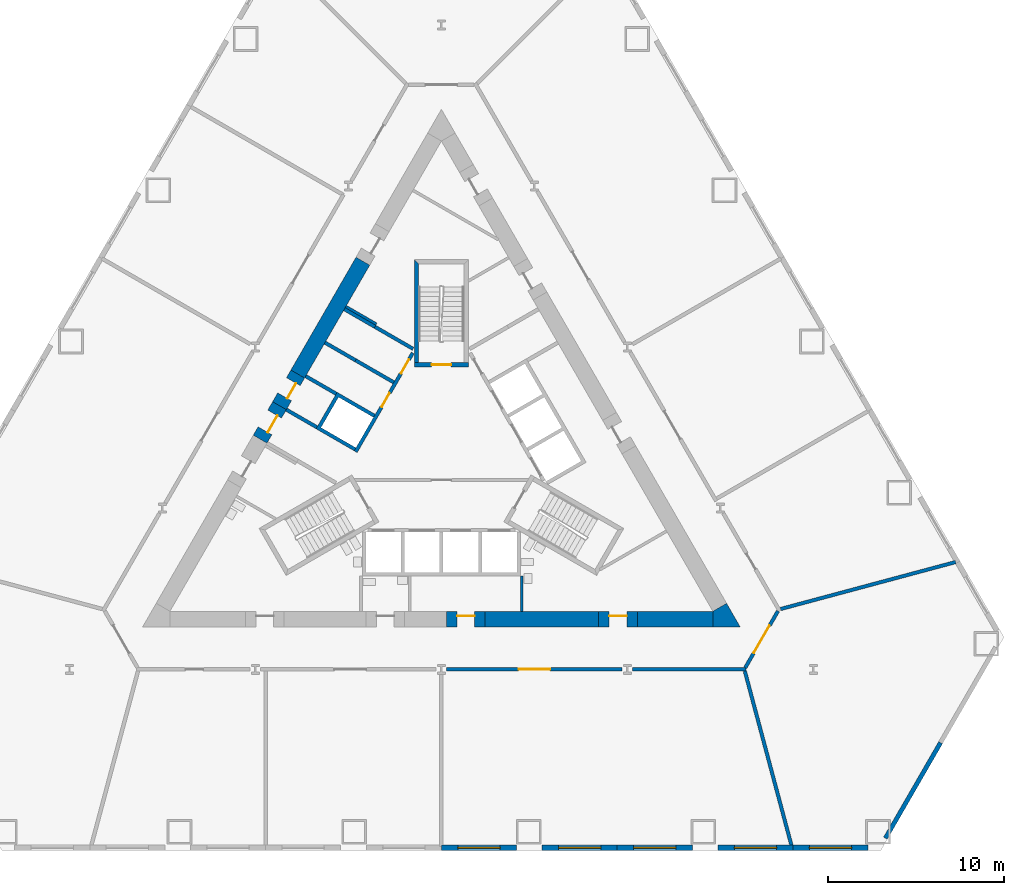
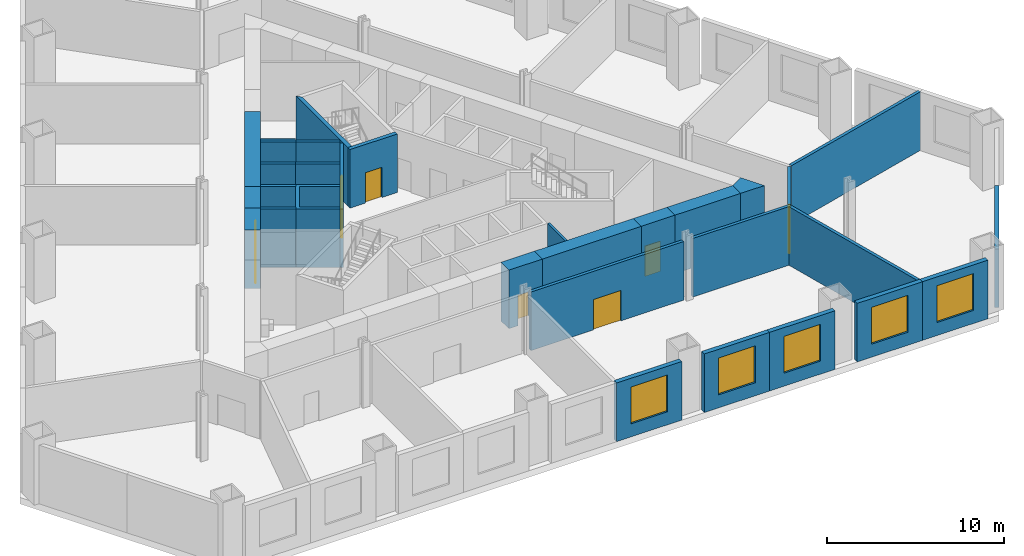
# One storey, part 3 of 8: 31 walls, 9 doors, 5 windows, 14 openings.
"""IFC4 building model written with IfcOpenShell, lengths in metres."""

from ifc_helpers import new_model, si_unit, direction, frame, frame_2d, origin, place, context, subcontext, project, spatial, polyline, rectangle, outline, extrude, material, layer, layer_set, type_object, element, fill, save


model = new_model("IFC4")

# Units and contexts
model_context = context("Model", 3, precision=1e-05, world=origin(), true_north=direction((0.0, 1.0)))
body_context = subcontext(model_context, "Body", "Model", "MODEL_VIEW")
ifc_project = project(units=[si_unit("LENGTHUNIT", "METRE"), si_unit("AREAUNIT", "SQUARE_METRE"), si_unit("VOLUMEUNIT", "CUBIC_METRE"), si_unit("PLANEANGLEUNIT", "RADIAN"), si_unit("MASSUNIT", "GRAM", prefix="KILO")], contexts=[model_context])

# Site, building, storey
site_placement = place(None, origin())
site = spatial("IfcSite", under=ifc_project, at=site_placement, CompositionType="ELEMENT")
building_placement = place(site_placement, origin())
building = spatial("IfcBuilding", under=site, at=building_placement, Name="Cormorant Prow Tower", CompositionType="ELEMENT")
storey_placement = place(building_placement, frame((0.0, 0.0, 21.0)))
storey = spatial("IfcBuildingStorey", under=building, at=storey_placement, Name="L03", CompositionType="ELEMENT", Elevation=21.0)

# Walls
ifc_material_1 = material(Name="Gypsum board partition")
ifc_layer_1 = layer(ifc_material_1, 0.14990234375)
ifc_layer_set_1 = layer_set([ifc_layer_1], Name="Gypsum board partition")
wall_type_1 = type_object("IfcWallType", Name="Core partition 150", PredefinedType="PARTITIONING", material=ifc_layer_set_1)
wall_1_placement = place(storey_placement, frame((-3.693359375, 7.4150390625, 0.0), z_axis=(0.0, 0.0, 1.0), x_axis=(-0.866035824272, 0.499981950752, 0.0)))
element("IfcWall", 1, at=wall_1_placement, inside=storey, type_object=wall_type_1, Name="Service room partition", PredefinedType="PARTITIONING", context=body_context, shape_type="SweptSolid", body=[
    extrude(rectangle(XDim=2.0087890625, YDim=0.14990234375, at=frame_2d((1.00439453125, 0.0))), origin(), (0.0, 0.0, 1.0), 4.050048828125),
])
wall_2_placement = place(storey_placement, frame((4.574951171875, -6.906005859375, 0.0), z_axis=(0.0, 0.0, 1.0), x_axis=(0.0, -1.0, 0.0)))
element("IfcWall", 2, at=wall_2_placement, inside=storey, type_object=wall_type_1, Name="Service room partition", PredefinedType="PARTITIONING", context=body_context, shape_type="SweptSolid", body=[
    extrude(rectangle(XDim=2.009033203125, YDim=0.14990234375, at=frame_2d((1.00439453125, 0.0))), origin(), (0.0, 0.0, 1.0), 4.050048828125),
])
ifc_material_2 = material(Name="Concrete 8000 psi", Category="concrete")
ifc_layer_2 = layer(ifc_material_2, 0.89990234375)
ifc_layer_set_2 = layer_set([ifc_layer_2], Name="Concrete 8000 psi")
wall_type_2 = type_object("IfcWallType", Name="Core shear wall 900", PredefinedType="SHEAR", material=ifc_layer_set_2)
wall_3_placement = place(storey_placement, frame((2.487548828125, -9.364990234375, 0.0), z_axis=(0.0, 0.0, 1.0), x_axis=(1.0, 0.0, 0.0)))
element("IfcWall", 3, at=wall_3_placement, inside=storey, type_object=wall_type_2, Name="Core wall", PredefinedType="SHEAR", context=body_context, shape_type="SweptSolid", body=[
    extrude(rectangle(XDim=6.4580078125, YDim=0.89990234375, at=frame_2d((3.22900390625, 0.0))), origin(), (0.0, 0.0, 1.0), 4.050048828125),
])
wall_4_placement = place(storey_placement, frame((11.1455078125, -9.364990234375, 0.0), z_axis=(0.0, 0.0, 1.0), x_axis=(1.0, 0.0, 0.0)))
element("IfcWall", 4, at=wall_4_placement, inside=storey, type_object=wall_type_2, Name="Core wall", PredefinedType="SHEAR", context=body_context, shape_type="SweptSolid", body=[
    extrude(rectangle(XDim=4.295654296875, YDim=0.89990234375, at=frame_2d((2.14794921875, 0.0))), origin(), (0.0, 0.0, 1.0), 4.050048828125),
])
wall_5_placement = place(storey_placement, frame((-4.465576171875, 10.995361328125, 0.0), z_axis=(0.0, 0.0, 1.0), x_axis=(-0.500012427149, -0.866018228848, 0.0)))
element("IfcWall", 5, at=wall_5_placement, inside=storey, type_object=wall_type_2, Name="Core wall", PredefinedType="SHEAR", context=body_context, shape_type="SweptSolid", body=[
    extrude(rectangle(XDim=7.409423828125, YDim=0.89990234375, at=frame_2d((3.70458984375, 0.0))), origin(), (0.0, 0.0, 1.0), 4.050048828125),
])
wall_6_placement = place(storey_placement, origin())
element("IfcWall", 6, at=wall_6_placement, inside=storey, type_object=wall_type_2, Name="Core wall corner", PredefinedType="SHEAR", context=body_context, shape_type="SweptSolid", body=[
    extrude(outline(polyline([(15.441162109375, -9.81494140625), (15.441162109375, -8.9150390625), (16.220703125, -8.465087890625), (17.0, -9.81494140625), (15.441162109375, -9.81494140625)])), origin(), (0.0, 0.0, 1.0), 4.050048828125),
])

# Wall, opening, door
wall_7_placement = place(storey_placement, frame((0.28759765625, -9.364990234375, 0.0), z_axis=(0.0, 0.0, 1.0), x_axis=(1.0, 0.0, 0.0)))
wall_7 = element("IfcWall", 7, at=wall_7_placement, inside=storey, type_object=wall_type_2, Name="Core wall door panel", PredefinedType="SHEAR", context=body_context, shape_type="SweptSolid", body=[
    extrude(rectangle(XDim=2.199951171875, YDim=0.89990234375, at=frame_2d((1.10009765625, 0.0))), origin(), (0.0, 0.0, 1.0), 4.050048828125),
])
opening_1_placement = place(wall_7_placement, frame((0.60009765625, 0.0, 0.0)))
opening_1 = element("IfcOpeningElement", 8, at=opening_1_placement, cuts=wall_7, Name="Opening L03-C16", PredefinedType="OPENING", context=body_context, shape_type="SweptSolid", body=[
    extrude(rectangle(XDim=1.0, YDim=2.10009765625, at=frame_2d((0.5, 1.050048828125))), frame((0.0, 0.4599609375, 0.0), z_axis=(0.0, -1.0, 0.0), x_axis=(1.0, 0.0, 0.0)), (0.0, 0.0, 1.0), 0.919921875),
])
ifc_material_3 = material(Name="Painted steel", Category="steel")
door_type_1 = type_object("IfcDoorType", Name="Service door 1000x2100", OperationType="NOTDEFINED", PredefinedType="DOOR", material=ifc_material_3)
door_1_placement = place(opening_1_placement, origin())
door_1 = element("IfcDoor", 9, at=door_1_placement, inside=storey, type_object=door_type_1, Name="Core door, Pantry store", OperationType="SINGLE_SWING_RIGHT", OverallHeight=2.10009765625, OverallWidth=1.0, PredefinedType="DOOR", context=body_context, shape_type="SweptSolid", body=[
    extrude(rectangle(XDim=1.0, YDim=2.10009765625, at=frame_2d((0.5, 1.050048828125))), frame((0.0, 0.205078125, 0.0), z_axis=(0.0, -1.0, 0.0), x_axis=(1.0, 0.0, 0.0)), (0.0, 0.0, 1.0), 0.050048828125),
])
fill(opening_1, door_1)

wall_8_placement = place(storey_placement, frame((8.945556640625, -9.364990234375, 0.0), z_axis=(0.0, 0.0, 1.0), x_axis=(1.0, 0.0, 0.0)))
wall_8 = element("IfcWall", 10, at=wall_8_placement, inside=storey, type_object=wall_type_2, Name="Core wall door panel", PredefinedType="SHEAR", context=body_context, shape_type="SweptSolid", body=[
    extrude(rectangle(XDim=2.199951171875, YDim=0.89990234375, at=frame_2d((1.10009765625, 0.0))), origin(), (0.0, 0.0, 1.0), 4.050048828125),
])
opening_2_placement = place(wall_8_placement, frame((0.60009765625, 0.0, 0.0)))
opening_2 = element("IfcOpeningElement", 11, at=opening_2_placement, cuts=wall_8, Name="Opening L03-C17", PredefinedType="OPENING", context=body_context, shape_type="SweptSolid", body=[
    extrude(rectangle(XDim=1.0, YDim=2.10009765625, at=frame_2d((0.5, 1.050048828125))), frame((0.0, 0.4599609375, 0.0), z_axis=(0.0, -1.0, 0.0), x_axis=(1.0, 0.0, 0.0)), (0.0, 0.0, 1.0), 0.919921875),
])
door_2_placement = place(opening_2_placement, origin())
door_2 = element("IfcDoor", 12, at=door_2_placement, inside=storey, type_object=door_type_1, Name="Core door, Toilets (men) L03", OperationType="SINGLE_SWING_RIGHT", OverallHeight=2.10009765625, OverallWidth=1.0, PredefinedType="DOOR", context=body_context, shape_type="SweptSolid", body=[
    extrude(rectangle(XDim=1.0, YDim=2.10009765625, at=frame_2d((0.5, 1.050048828125))), frame((0.0, 0.205078125, 0.0), z_axis=(0.0, -1.0, 0.0), x_axis=(1.0, 0.0, 0.0)), (0.0, 0.0, 1.0), 0.050048828125),
])
fill(opening_2, door_2)

wall_9_placement = place(storey_placement, frame((-8.17041015625, 4.57861328125, 0.0), z_axis=(0.0, 0.0, 1.0), x_axis=(-0.499888406853, -0.866089822532, 0.0)))
wall_9 = element("IfcWall", 13, at=wall_9_placement, inside=storey, type_object=wall_type_2, Name="Core wall door panel", PredefinedType="SHEAR", context=body_context, shape_type="SweptSolid", body=[
    extrude(rectangle(XDim=2.080078125, YDim=0.89990234375, at=frame_2d((1.0400390625, 0.0))), origin(), (0.0, 0.0, 1.0), 4.050048828125),
])
opening_3_placement = place(wall_9_placement, frame((0.5, 0.0, 0.0)))
opening_3 = element("IfcOpeningElement", 14, at=opening_3_placement, cuts=wall_9, Name="Opening L03-C21", PredefinedType="OPENING", context=body_context, shape_type="SweptSolid", body=[
    extrude(rectangle(XDim=1.0, YDim=2.10009765625, at=frame_2d((0.5, 1.050048828125))), frame((0.0, 0.4599609375, 0.0), z_axis=(0.0, -1.0, 0.0), x_axis=(1.0, 0.0, 0.0)), (0.0, 0.0, 1.0), 0.919921875),
])
door_3_placement = place(opening_3_placement, origin())
door_3 = element("IfcDoor", 15, at=door_3_placement, inside=storey, type_object=door_type_1, Name="Core door, Electrical room", OperationType="SINGLE_SWING_RIGHT", OverallHeight=2.10009765625, OverallWidth=1.0, PredefinedType="DOOR", context=body_context, shape_type="SweptSolid", body=[
    extrude(rectangle(XDim=1.0, YDim=2.10009765625, at=frame_2d((0.5, 1.050048828125))), frame((0.0, 0.205078125, 0.0), z_axis=(0.0, -1.0, 0.0), x_axis=(1.0, 0.0, 0.0)), (0.0, 0.0, 1.0), 0.050048828125),
])
fill(opening_3, door_3)

wall_10_placement = place(storey_placement, frame((-9.210205078125, 2.777099609375, 0.0), z_axis=(0.0, 0.0, 1.0), x_axis=(-0.500077893725, -0.86598042715, 0.0)))
wall_10 = element("IfcWall", 16, at=wall_10_placement, inside=storey, type_object=wall_type_2, Name="Core wall door panel", PredefinedType="SHEAR", context=body_context, shape_type="SweptSolid", body=[
    extrude(rectangle(XDim=2.199951171875, YDim=0.89990234375, at=frame_2d((1.10009765625, 0.0))), origin(), (0.0, 0.0, 1.0), 4.050048828125),
])
opening_4_placement = place(wall_10_placement, frame((0.550048828125, 0.0, 0.0)))
opening_4 = element("IfcOpeningElement", 17, at=opening_4_placement, cuts=wall_10, Name="Opening L03-C25", PredefinedType="OPENING", context=body_context, shape_type="SweptSolid", body=[
    extrude(rectangle(XDim=1.10009765625, YDim=2.10009765625, at=frame_2d((0.550048828125, 1.050048828125))), frame((0.0, 0.4599609375, 0.0), z_axis=(0.0, -1.0, 0.0), x_axis=(1.0, 0.0, 0.0)), (0.0, 0.0, 1.0), 0.919921875),
])
ifc_material_4 = material(Name="Painted steel", Category="steel")
door_type_2 = type_object("IfcDoorType", Name="Core door 1100x2100", OperationType="NOTDEFINED", PredefinedType="DOOR", material=ifc_material_4)
door_4_placement = place(opening_4_placement, origin())
door_4 = element("IfcDoor", 18, at=door_4_placement, inside=storey, type_object=door_type_2, Name="Core door, lift lobby", OperationType="SINGLE_SWING_LEFT", OverallHeight=2.10009765625, OverallWidth=1.10009765625, PredefinedType="DOOR", context=body_context, shape_type="SweptSolid", body=[
    extrude(rectangle(XDim=1.10009765625, YDim=2.10009765625, at=frame_2d((0.550048828125, 1.050048828125))), frame((0.0, 0.205078125, 0.0), z_axis=(0.0, -1.0, 0.0), x_axis=(1.0, 0.0, 0.0)), (0.0, 0.0, 1.0), 0.050048828125),
])
fill(opening_4, door_4)

ifc_material_5 = material(Name="Gypsum board corridor wall")
ifc_layer_3 = layer(ifc_material_5, 0.199951171875)
ifc_layer_set_3 = layer_set([ifc_layer_3], Name="Gypsum board corridor wall")
wall_type_3 = type_object("IfcWallType", Name="Corridor wall 200", PredefinedType="PARTITIONING", material=ifc_layer_set_3)
wall_11_placement = place(storey_placement, frame((0.294921875, -12.215087890625, 0.0), z_axis=(0.0, 0.0, 1.0), x_axis=(1.0, 0.0, 0.0)))
wall_11 = element("IfcWall", 19, at=wall_11_placement, inside=storey, type_object=wall_type_3, Name="Corridor wall", PredefinedType="PARTITIONING", context=body_context, shape_type="SweptSolid", body=[
    extrude(rectangle(XDim=9.98876953125, YDim=0.199951171875, at=frame_2d((4.994384765625, 0.0))), origin(), (0.0, 0.0, 1.0), 4.050048828125),
])
opening_5_placement = place(wall_11_placement, frame((4.094482421875, 0.0, 0.0)))
opening_5 = element("IfcOpeningElement", 20, at=opening_5_placement, cuts=wall_11, Name="Opening L03-F07", PredefinedType="OPENING", context=body_context, shape_type="SweptSolid", body=[
    extrude(rectangle(XDim=1.800048828125, YDim=2.10009765625, at=frame_2d((0.89990234375, 1.050048828125))), frame((0.0, 0.10986328125, 0.0), z_axis=(0.0, -1.0, 0.0), x_axis=(1.0, 0.0, 0.0)), (0.0, 0.0, 1.0), 0.219970703125),
])
ifc_material_6 = material(Name="Timber door leaf", Category="wood")
door_type_3 = type_object("IfcDoorType", Name="Double door 1800x2100", OperationType="DOUBLE_DOOR_SINGLE_SWING", PredefinedType="DOOR", material=ifc_material_6)
door_5_placement = place(opening_5_placement, origin())
door_5 = element("IfcDoor", 21, at=door_5_placement, inside=storey, type_object=door_type_3, Name="Spa treatment suite door", OperationType="DOUBLE_DOOR_SINGLE_SWING", OverallHeight=2.10009765625, OverallWidth=1.800048828125, PredefinedType="DOOR", context=body_context, shape_type="SweptSolid", body=[
    extrude(rectangle(XDim=1.800048828125, YDim=2.10009765625, at=frame_2d((0.89990234375, 1.050048828125))), frame((0.0, 0.02490234375, 0.0), z_axis=(0.0, -1.0, 0.0), x_axis=(1.0, 0.0, 0.0)), (0.0, 0.0, 1.0), 0.050048828125),
])
fill(opening_5, door_5)

# Wall
wall_12_placement = place(storey_placement, frame((10.873291015625, -12.215087890625, 0.0), z_axis=(0.0, 0.0, 1.0), x_axis=(1.0, 0.0, 0.0)))
element("IfcWall", 22, at=wall_12_placement, inside=storey, type_object=wall_type_3, Name="Corridor wall", PredefinedType="PARTITIONING", context=body_context, shape_type="SweptSolid", body=[
    extrude(rectangle(XDim=6.45751953125, YDim=0.199951171875, at=frame_2d((3.228759765625, 0.0))), origin(), (0.0, 0.0, 1.0), 4.050048828125),
])

# Wall, opening, door
wall_13_placement = place(storey_placement, frame((17.281005859375, -12.12841796875, 0.0), z_axis=(0.0, 0.0, 1.0), x_axis=(0.499958791762, 0.866049194065, 0.0)))
wall_13 = element("IfcWall", 23, at=wall_13_placement, inside=storey, type_object=wall_type_3, Name="Corridor wall", PredefinedType="PARTITIONING", context=body_context, shape_type="SweptSolid", body=[
    extrude(rectangle(XDim=3.725830078125, YDim=0.199951171875, at=frame_2d((1.86279296875, 0.0))), origin(), (0.0, 0.0, 1.0), 4.050048828125),
])
opening_6_placement = place(wall_13_placement, frame((0.962890625, 0.0, 0.0)))
opening_6 = element("IfcOpeningElement", 24, at=opening_6_placement, cuts=wall_13, Name="Opening L03-F10", PredefinedType="OPENING", context=body_context, shape_type="SweptSolid", body=[
    extrude(rectangle(XDim=1.800048828125, YDim=2.10009765625, at=frame_2d((0.89990234375, 1.050048828125))), frame((0.0, 0.10986328125, 0.0), z_axis=(0.0, -1.0, 0.0), x_axis=(1.0, 0.0, 0.0)), (0.0, 0.0, 1.0), 0.219970703125),
])
door_6_placement = place(opening_6_placement, origin())
door_6 = element("IfcDoor", 25, at=door_6_placement, inside=storey, type_object=door_type_3, Name="Yoga studio door", OperationType="DOUBLE_DOOR_SINGLE_SWING", OverallHeight=2.10009765625, OverallWidth=1.800048828125, PredefinedType="DOOR", context=body_context, shape_type="SweptSolid", body=[
    extrude(rectangle(XDim=1.800048828125, YDim=2.10009765625, at=frame_2d((0.89990234375, 1.050048828125))), frame((0.0, 0.02490234375, 0.0), z_axis=(0.0, -1.0, 0.0), x_axis=(1.0, 0.0, 0.0)), (0.0, 0.0, 1.0), 0.050048828125),
])
fill(opening_6, door_6)

# Walls
ifc_material_7 = material(Name="Gypsum board demising wall")
ifc_layer_4 = layer(ifc_material_7, 0.199951171875)
ifc_layer_set_4 = layer_set([ifc_layer_4], Name="Gypsum board demising wall")
wall_type_4 = type_object("IfcWallType", Name="Demising wall 200", PredefinedType="PARTITIONING", material=ifc_layer_set_4)
for number, where, z_axis, x_axis, name in (
    (26, (19.29052734375, -8.7890625, 0.0), (0.0, 0.0, 1.0), (0.965818413341, 0.259219583464, 0.0), "Demising wall"),
    (27, (17.256591796875, -12.3115234375, 0.0), (0.0, 0.0, 1.0), (0.258415425443, -0.966033885479, 0.0), "Demising wall"),
):
    element("IfcWall", number, at=place(storey_placement, frame(where, z_axis=z_axis, x_axis=x_axis)), inside=storey, type_object=wall_type_4, Name=name, PredefinedType="PARTITIONING", context=body_context, shape_type="SweptSolid", body=[
        extrude(rectangle(XDim=10.31396484375, YDim=0.199951171875, at=frame_2d((5.156982421875, 0.0))), origin(), (0.0, 0.0, 1.0), 4.050048828125),
    ])

# Wall, openings, doors
ifc_material_8 = material(Name="Concrete 5000 psi", Category="concrete")
ifc_layer_5 = layer(ifc_material_8, 0.199951171875)
ifc_layer_set_5 = layer_set([ifc_layer_5], Name="Concrete 5000 psi")
wall_type_5 = type_object("IfcWallType", Name="Lift lobby wall 200", PredefinedType="SOLIDWALL", material=ifc_layer_set_5)
wall_14_placement = place(storey_placement, frame((-1.630615234375, 5.775634765625, 0.0), z_axis=(0.0, 0.0, 1.0), x_axis=(-0.499992876559, -0.866029516466, 0.0)))
wall_14 = element("IfcWall", 28, at=wall_14_placement, inside=storey, type_object=wall_type_5, Name="Lift lobby wall, WNW block", PredefinedType="SOLIDWALL", context=body_context, shape_type="SweptSolid", body=[
    extrude(rectangle(XDim=6.486328125, YDim=0.199951171875, at=frame_2d((3.2431640625, 0.0))), origin(), (0.0, 0.0, 1.0), 4.050048828125),
])
opening_7_placement = place(wall_14_placement, frame((0.4365234375, 0.0, 0.0)))
opening_7 = element("IfcOpeningElement", 29, at=opening_7_placement, cuts=wall_14, Name="Opening L03-C09", PredefinedType="OPENING", context=body_context, shape_type="SweptSolid", body=[
    extrude(rectangle(XDim=0.89990234375, YDim=2.10009765625, at=frame_2d((0.449951171875, 1.050048828125))), frame((0.0, 0.10986328125, 0.0), z_axis=(0.0, -1.0, 0.0), x_axis=(1.0, 0.0, 0.0)), (0.0, 0.0, 1.0), 0.219970703125),
])
opening_8_placement = place(wall_14_placement, frame((2.63671875, 0.0, 0.0)))
opening_8 = element("IfcOpeningElement", 30, at=opening_8_placement, cuts=wall_14, Name="Opening L03-C10", PredefinedType="OPENING", context=body_context, shape_type="SweptSolid", body=[
    extrude(rectangle(XDim=0.89990234375, YDim=2.10009765625, at=frame_2d((0.449951171875, 1.050048828125))), frame((0.0, 0.10986328125, 0.0), z_axis=(0.0, -1.0, 0.0), x_axis=(1.0, 0.0, 0.0)), (0.0, 0.0, 1.0), 0.219970703125),
])
ifc_material_9 = material(Name="Painted steel", Category="steel")
door_type_4 = type_object("IfcDoorType", Name="Service door 900x2100", OperationType="NOTDEFINED", PredefinedType="DOOR", material=ifc_material_9)
door_7_placement = place(opening_7_placement, origin())
door_7 = element("IfcDoor", 31, at=door_7_placement, inside=storey, type_object=door_type_4, Name="Service door, Refuse store", OperationType="SINGLE_SWING_LEFT", OverallHeight=2.10009765625, OverallWidth=0.89990234375, PredefinedType="DOOR", context=body_context, shape_type="SweptSolid", body=[
    extrude(rectangle(XDim=0.89990234375, YDim=2.10009765625, at=frame_2d((0.449951171875, 1.050048828125))), frame((0.0, 0.02490234375, 0.0), z_axis=(0.0, -1.0, 0.0), x_axis=(1.0, 0.0, 0.0)), (0.0, 0.0, 1.0), 0.050048828125),
])
fill(opening_7, door_7)
door_8_placement = place(opening_8_placement, origin())
door_8 = element("IfcDoor", 32, at=door_8_placement, inside=storey, type_object=door_type_4, Name="Service door, Pantry store", OperationType="SINGLE_SWING_LEFT", OverallHeight=2.10009765625, OverallWidth=0.89990234375, PredefinedType="DOOR", context=body_context, shape_type="SweptSolid", body=[
    extrude(rectangle(XDim=0.89990234375, YDim=2.10009765625, at=frame_2d((0.449951171875, 1.050048828125))), frame((0.0, 0.02490234375, 0.0), z_axis=(0.0, -1.0, 0.0), x_axis=(1.0, 0.0, 0.0)), (0.0, 0.0, 1.0), 0.050048828125),
])
fill(opening_8, door_8)

# Walls
ifc_material_10 = material(Name="Concrete 8000 psi", Category="concrete")
ifc_layer_6 = layer(ifc_material_10, 0.199951171875)
ifc_layer_set_6 = layer_set([ifc_layer_6], Name="Concrete 8000 psi")
wall_type_6 = type_object("IfcWallType", Name="Lift shaft wall 200", PredefinedType="SHEAR", material=ifc_layer_set_6)
wall_15_placement = place(storey_placement, origin())
element("IfcWall", 33, at=wall_15_placement, inside=storey, type_object=wall_type_6, Name="Lift shaft walls, WNW block", PredefinedType="SHEAR", context=body_context, shape_type="SweptSolid", body=[
    extrude(outline(polyline([(-4.96044921875, 0.2080078125), (-7.130859375, 1.461181640625), (-5.930908203125, 3.53955078125), (-3.760498046875, 2.28662109375), (-3.860595703125, 2.11328125), (-5.852294921875, 3.263427734375), (-6.852294921875, 1.53125), (-4.860595703125, 0.38134765625), (-4.96044921875, 0.2080078125)])), origin(), (0.0, 0.0, 1.0), 4.050048828125),
])
wall_16_placement = place(storey_placement, origin())
element("IfcWall", 34, at=wall_16_placement, inside=storey, type_object=wall_type_6, Name="Lift shaft walls, WNW block", PredefinedType="SHEAR", context=body_context, shape_type="SweptSolid", body=[
    extrude(outline(polyline([(-2.760498046875, 4.018798828125), (-4.930908203125, 5.271728515625), (-4.830810546875, 5.44482421875), (-2.660400390625, 4.19189453125), (-2.760498046875, 4.018798828125)])), origin(), (0.0, 0.0, 1.0), 4.050048828125),
])
wall_17_placement = place(storey_placement, origin())
element("IfcWall", 35, at=wall_17_placement, inside=storey, type_object=wall_type_6, Name="Lift shaft walls, WNW block", PredefinedType="SHEAR", context=body_context, shape_type="SweptSolid", body=[
    extrude(outline(polyline([(-3.730712890625, 7.35009765625), (-1.560546875, 6.09716796875), (-1.660400390625, 5.923828125), (-3.830810546875, 7.177001953125), (-3.730712890625, 7.35009765625)])), origin(), (0.0, 0.0, 1.0), 4.050048828125),
])
wall_18_placement = place(storey_placement, frame((-3.78076171875, 7.263427734375, 0.0), z_axis=(0.0, 0.0, 1.0), x_axis=(-0.865983199114, 0.50007309351, 0.0)))
element("IfcWall", 36, at=wall_18_placement, inside=storey, type_object=wall_type_6, Name="Store side wall", PredefinedType="SHEAR", context=body_context, shape_type="SweptSolid", body=[
    extrude(rectangle(XDim=2.009033203125, YDim=0.199951171875, at=frame_2d((1.00439453125, 0.0))), origin(), (0.0, 0.0, 1.0), 4.050048828125),
])
wall_19_placement = place(storey_placement, frame((-4.880859375, 5.3583984375, 0.0), z_axis=(0.0, 0.0, 1.0), x_axis=(-0.866035824272, 0.499981950752, 0.0)))
element("IfcWall", 37, at=wall_19_placement, inside=storey, type_object=wall_type_6, Name="Store side wall", PredefinedType="SHEAR", context=body_context, shape_type="SweptSolid", body=[
    extrude(rectangle(XDim=2.0087890625, YDim=0.199951171875, at=frame_2d((1.00439453125, 0.0))), origin(), (0.0, 0.0, 1.0), 4.050048828125),
])
wall_20_placement = place(storey_placement, frame((-5.980712890625, 3.452880859375, 0.0), z_axis=(0.0, 0.0, 1.0), x_axis=(-0.866013584312, 0.500020471368, 0.0)))
element("IfcWall", 38, at=wall_20_placement, inside=storey, type_object=wall_type_6, Name="Store side wall", PredefinedType="SHEAR", context=body_context, shape_type="SweptSolid", body=[
    extrude(rectangle(XDim=2.00927734375, YDim=0.199951171875, at=frame_2d((1.004638671875, 0.0))), origin(), (0.0, 0.0, 1.0), 4.050048828125),
])
wall_21_placement = place(storey_placement, frame((-7.080810546875, 1.547607421875, 0.0), z_axis=(0.0, 0.0, 1.0), x_axis=(-0.865983199114, 0.50007309351, 0.0)))
element("IfcWall", 39, at=wall_21_placement, inside=storey, type_object=wall_type_6, Name="Lobby passage wall", PredefinedType="SHEAR", context=body_context, shape_type="SweptSolid", body=[
    extrude(rectangle(XDim=2.009033203125, YDim=0.199951171875, at=frame_2d((1.00439453125, 0.0))), origin(), (0.0, 0.0, 1.0), 4.050048828125),
])
ifc_material_11 = material(Name="Concrete 8000 psi", Category="concrete")
ifc_layer_7 = layer(ifc_material_11, 0.25)
ifc_layer_set_7 = layer_set([ifc_layer_7], Name="Concrete 8000 psi")
wall_type_7 = type_object("IfcWallType", Name="Stair wall 250", PredefinedType="SHEAR", material=ifc_layer_set_7)
wall_22_placement = place(storey_placement, origin())
element("IfcWall", 40, at=wall_22_placement, inside=storey, type_object=wall_type_7, Name="Stair ST3 enclosure wall (flank)", PredefinedType="SHEAR", context=body_context, shape_type="SweptSolid", body=[
    extrude(outline(polyline([(-1.2939453125, 10.8369140625), (-1.5439453125, 11.0869140625), (-1.5439453125, 5.23681640625), (-1.2939453125, 5.23681640625), (-1.2939453125, 10.8369140625)])), origin(), (0.0, 0.0, 1.0), 4.050048828125),
])

# Wall, opening, door
wall_23_placement = place(storey_placement, frame((1.5439453125, 5.11181640625, 0.0), z_axis=(0.0, 0.0, 1.0), x_axis=(-1.0, 0.0, 0.0)))
wall_23 = element("IfcWall", 41, at=wall_23_placement, inside=storey, type_object=wall_type_7, Name="Stair ST3 door wall", PredefinedType="SHEAR", context=body_context, shape_type="SweptSolid", body=[
    extrude(rectangle(XDim=3.087890625, YDim=0.25, at=frame_2d((1.5439453125, 0.0))), origin(), (0.0, 0.0, 1.0), 4.050048828125),
])
opening_9_placement = place(wall_23_placement, frame((0.993896484375, 0.0, 0.0)))
opening_9 = element("IfcOpeningElement", 42, at=opening_9_placement, cuts=wall_23, Name="Opening L03-C14", PredefinedType="OPENING", context=body_context, shape_type="SweptSolid", body=[
    extrude(rectangle(XDim=1.10009765625, YDim=2.10009765625, at=frame_2d((0.550048828125, 1.050048828125))), frame((0.0, 0.135009765625, 0.0), z_axis=(0.0, -1.0, 0.0), x_axis=(1.0, 0.0, 0.0)), (0.0, 0.0, 1.0), 0.27001953125),
])
ifc_material_12 = material(Name="Painted steel", Category="steel")
door_type_5 = type_object("IfcDoorType", Name="Stair door 1100x2100", OperationType="NOTDEFINED", PredefinedType="DOOR", material=ifc_material_12)
door_9_placement = place(opening_9_placement, origin())
door_9 = element("IfcDoor", 43, at=door_9_placement, inside=storey, type_object=door_type_5, Name="Stair ST3 door", OperationType="SINGLE_SWING_RIGHT", OverallHeight=2.10009765625, OverallWidth=1.10009765625, PredefinedType="DOOR", context=body_context, shape_type="SweptSolid", body=[
    extrude(rectangle(XDim=1.10009765625, YDim=2.10009765625, at=frame_2d((0.550048828125, 1.050048828125))), frame((0.0, 0.02490234375, 0.0), z_axis=(0.0, -1.0, 0.0), x_axis=(1.0, 0.0, 0.0)), (0.0, 0.0, 1.0), 0.050048828125),
])
fill(opening_9, door_9)

# Wall
ifc_material_13 = material(Name="Terracotta", Category="masonry")
ifc_layer_8 = layer(ifc_material_13, 0.25)
ifc_layer_set_8 = layer_set([ifc_layer_8], Name="Terracotta")
wall_type_8 = type_object("IfcWallType", Name="Terracotta bay wall 250", PredefinedType="SOLIDWALL", material=ifc_layer_set_8)
wall_24_placement = place(storey_placement, frame((25.2568359375, -21.822021484375, 0.0), z_axis=(0.0, 0.0, 1.0), x_axis=(0.5000044583, 0.866022829768, 0.0)))
element("IfcWall", 44, at=wall_24_placement, inside=storey, type_object=wall_type_8, Name="Terracotta bay wall ESE00", PredefinedType="SOLIDWALL", context=body_context, shape_type="SweptSolid", body=[
    extrude(rectangle(XDim=6.27001953125, YDim=0.25, at=frame_2d((3.135009765625, 0.0))), origin(), (0.0, 0.0, 1.0), 4.050048828125),
])

# Wall, opening, window
ifc_material_14 = material(Name="Terracotta", Category="masonry")
ifc_layer_9 = layer(ifc_material_14, 0.300048828125)
ifc_layer_set_9 = layer_set([ifc_layer_9], Name="Terracotta")
wall_type_9 = type_object("IfcWallType", Name="Terracotta podium cladding wall 300", PredefinedType="SOLIDWALL", material=ifc_layer_set_9)
wall_25_placement = place(storey_placement, frame((0.0, -22.36669921875, 0.0), z_axis=(0.0, 0.0, 1.0), x_axis=(1.0, 0.0, 0.0)))
wall_25 = element("IfcWall", 45, at=wall_25_placement, inside=storey, type_object=wall_type_9, Name="Terracotta podium wall S05", PredefinedType="SOLIDWALL", context=body_context, shape_type="SweptSolid", body=[
    extrude(rectangle(XDim=4.27001953125, YDim=0.300048828125, at=frame_2d((2.135009765625, 0.0))), origin(), (0.0, 0.0, 1.0), 4.050048828125),
])
opening_10_placement = place(wall_25_placement, frame((0.93505859375, 0.0, 0.89990234375)))
opening_10 = element("IfcOpeningElement", 46, at=opening_10_placement, cuts=wall_25, Name="Opening WN22", PredefinedType="OPENING", context=body_context, shape_type="SweptSolid", body=[
    extrude(rectangle(XDim=2.39990234375, YDim=2.550048828125, at=frame_2d((1.199951171875, 1.27490234375))), frame((0.0, 0.159912109375, 0.0), z_axis=(0.0, -1.0, 0.0), x_axis=(1.0, 0.0, 0.0)), (0.0, 0.0, 1.0), 0.320068359375),
])
ifc_material_15 = material(Name="Aluminium 6063-T6", Category="aluminium")
window_type = type_object("IfcWindowType", Name="Podium window 2400x2550", PartitioningType="SINGLE_PANEL", PredefinedType="WINDOW", material=ifc_material_15)
window_1_placement = place(opening_10_placement, origin())
window_1 = element("IfcWindow", 47, at=window_1_placement, inside=storey, type_object=window_type, Name="Podium window S05", OverallHeight=2.550048828125, OverallWidth=2.39990234375, PartitioningType="SINGLE_PANEL", PredefinedType="WINDOW", context=body_context, shape_type="SweptSolid", body=[
    extrude(rectangle(XDim=2.39990234375, YDim=2.550048828125, at=frame_2d((1.199951171875, 1.27490234375))), frame((0.0, 0.030029296875, 0.0), z_axis=(0.0, -1.0, 0.0), x_axis=(1.0, 0.0, 0.0)), (0.0, 0.0, 1.0), 0.06005859375),
])
fill(opening_10, window_1)

wall_26_placement = place(storey_placement, frame((5.72998046875, -22.36669921875, 0.0), z_axis=(0.0, 0.0, 1.0), x_axis=(1.0, 0.0, 0.0)))
wall_26 = element("IfcWall", 48, at=wall_26_placement, inside=storey, type_object=wall_type_9, Name="Terracotta podium wall S06", PredefinedType="SOLIDWALL", context=body_context, shape_type="SweptSolid", body=[
    extrude(rectangle(XDim=4.27001953125, YDim=0.300048828125, at=frame_2d((2.135009765625, 0.0))), origin(), (0.0, 0.0, 1.0), 4.050048828125),
])
opening_11_placement = place(wall_26_placement, frame((0.93505859375, 0.0, 0.89990234375)))
opening_11 = element("IfcOpeningElement", 49, at=opening_11_placement, cuts=wall_26, Name="Opening WN22", PredefinedType="OPENING", context=body_context, shape_type="SweptSolid", body=[
    extrude(rectangle(XDim=2.39990234375, YDim=2.550048828125, at=frame_2d((1.199951171875, 1.27490234375))), frame((0.0, 0.159912109375, 0.0), z_axis=(0.0, -1.0, 0.0), x_axis=(1.0, 0.0, 0.0)), (0.0, 0.0, 1.0), 0.320068359375),
])
window_2_placement = place(opening_11_placement, origin())
window_2 = element("IfcWindow", 50, at=window_2_placement, inside=storey, type_object=window_type, Name="Podium window S06", OverallHeight=2.550048828125, OverallWidth=2.39990234375, PartitioningType="SINGLE_PANEL", PredefinedType="WINDOW", context=body_context, shape_type="SweptSolid", body=[
    extrude(rectangle(XDim=2.39990234375, YDim=2.550048828125, at=frame_2d((1.199951171875, 1.27490234375))), frame((0.0, 0.030029296875, 0.0), z_axis=(0.0, -1.0, 0.0), x_axis=(1.0, 0.0, 0.0)), (0.0, 0.0, 1.0), 0.06005859375),
])
fill(opening_11, window_2)

wall_27_placement = place(storey_placement, frame((10.0, -22.36669921875, 0.0), z_axis=(0.0, 0.0, 1.0), x_axis=(1.0, 0.0, 0.0)))
wall_27 = element("IfcWall", 51, at=wall_27_placement, inside=storey, type_object=wall_type_9, Name="Terracotta podium wall S07", PredefinedType="SOLIDWALL", context=body_context, shape_type="SweptSolid", body=[
    extrude(rectangle(XDim=4.27001953125, YDim=0.300048828125, at=frame_2d((2.135009765625, 0.0))), origin(), (0.0, 0.0, 1.0), 4.050048828125),
])
opening_12_placement = place(wall_27_placement, frame((0.93505859375, 0.0, 0.89990234375)))
opening_12 = element("IfcOpeningElement", 52, at=opening_12_placement, cuts=wall_27, Name="Opening WN22", PredefinedType="OPENING", context=body_context, shape_type="SweptSolid", body=[
    extrude(rectangle(XDim=2.39990234375, YDim=2.550048828125, at=frame_2d((1.199951171875, 1.27490234375))), frame((0.0, 0.159912109375, 0.0), z_axis=(0.0, -1.0, 0.0), x_axis=(1.0, 0.0, 0.0)), (0.0, 0.0, 1.0), 0.320068359375),
])
window_3_placement = place(opening_12_placement, origin())
window_3 = element("IfcWindow", 53, at=window_3_placement, inside=storey, type_object=window_type, Name="Podium window S07", OverallHeight=2.550048828125, OverallWidth=2.39990234375, PartitioningType="SINGLE_PANEL", PredefinedType="WINDOW", context=body_context, shape_type="SweptSolid", body=[
    extrude(rectangle(XDim=2.39990234375, YDim=2.550048828125, at=frame_2d((1.199951171875, 1.27490234375))), frame((0.0, 0.030029296875, 0.0), z_axis=(0.0, -1.0, 0.0), x_axis=(1.0, 0.0, 0.0)), (0.0, 0.0, 1.0), 0.06005859375),
])
fill(opening_12, window_3)

wall_28_placement = place(storey_placement, frame((15.72998046875, -22.36669921875, 0.0), z_axis=(0.0, 0.0, 1.0), x_axis=(1.0, 0.0, 0.0)))
wall_28 = element("IfcWall", 54, at=wall_28_placement, inside=storey, type_object=wall_type_9, Name="Terracotta podium wall S08", PredefinedType="SOLIDWALL", context=body_context, shape_type="SweptSolid", body=[
    extrude(rectangle(XDim=4.27001953125, YDim=0.300048828125, at=frame_2d((2.135009765625, 0.0))), origin(), (0.0, 0.0, 1.0), 4.050048828125),
])
opening_13_placement = place(wall_28_placement, frame((0.93505859375, 0.0, 0.89990234375)))
opening_13 = element("IfcOpeningElement", 55, at=opening_13_placement, cuts=wall_28, Name="Opening WN22", PredefinedType="OPENING", context=body_context, shape_type="SweptSolid", body=[
    extrude(rectangle(XDim=2.39990234375, YDim=2.550048828125, at=frame_2d((1.199951171875, 1.27490234375))), frame((0.0, 0.159912109375, 0.0), z_axis=(0.0, -1.0, 0.0), x_axis=(1.0, 0.0, 0.0)), (0.0, 0.0, 1.0), 0.320068359375),
])
window_4_placement = place(opening_13_placement, origin())
window_4 = element("IfcWindow", 56, at=window_4_placement, inside=storey, type_object=window_type, Name="Podium window S08", OverallHeight=2.550048828125, OverallWidth=2.39990234375, PartitioningType="SINGLE_PANEL", PredefinedType="WINDOW", context=body_context, shape_type="SweptSolid", body=[
    extrude(rectangle(XDim=2.39990234375, YDim=2.550048828125, at=frame_2d((1.199951171875, 1.27490234375))), frame((0.0, 0.030029296875, 0.0), z_axis=(0.0, -1.0, 0.0), x_axis=(1.0, 0.0, 0.0)), (0.0, 0.0, 1.0), 0.06005859375),
])
fill(opening_13, window_4)

wall_29_placement = place(storey_placement, frame((20.0, -22.36669921875, 0.0), z_axis=(0.0, 0.0, 1.0), x_axis=(1.0, 0.0, 0.0)))
wall_29 = element("IfcWall", 57, at=wall_29_placement, inside=storey, type_object=wall_type_9, Name="Terracotta podium wall S09", PredefinedType="SOLIDWALL", context=body_context, shape_type="SweptSolid", body=[
    extrude(rectangle(XDim=4.27001953125, YDim=0.300048828125, at=frame_2d((2.135009765625, 0.0))), origin(), (0.0, 0.0, 1.0), 4.050048828125),
])
opening_14_placement = place(wall_29_placement, frame((0.93505859375, 0.0, 0.89990234375)))
opening_14 = element("IfcOpeningElement", 58, at=opening_14_placement, cuts=wall_29, Name="Opening WN22", PredefinedType="OPENING", context=body_context, shape_type="SweptSolid", body=[
    extrude(rectangle(XDim=2.39990234375, YDim=2.550048828125, at=frame_2d((1.199951171875, 1.27490234375))), frame((0.0, 0.159912109375, 0.0), z_axis=(0.0, -1.0, 0.0), x_axis=(1.0, 0.0, 0.0)), (0.0, 0.0, 1.0), 0.320068359375),
])
window_5_placement = place(opening_14_placement, origin())
window_5 = element("IfcWindow", 59, at=window_5_placement, inside=storey, type_object=window_type, Name="Podium window S09", OverallHeight=2.550048828125, OverallWidth=2.39990234375, PartitioningType="SINGLE_PANEL", PredefinedType="WINDOW", context=body_context, shape_type="SweptSolid", body=[
    extrude(rectangle(XDim=2.39990234375, YDim=2.550048828125, at=frame_2d((1.199951171875, 1.27490234375))), frame((0.0, 0.030029296875, 0.0), z_axis=(0.0, -1.0, 0.0), x_axis=(1.0, 0.0, 0.0)), (0.0, 0.0, 1.0), 0.06005859375),
])
fill(opening_14, window_5)

save(model, "model.ifc")
